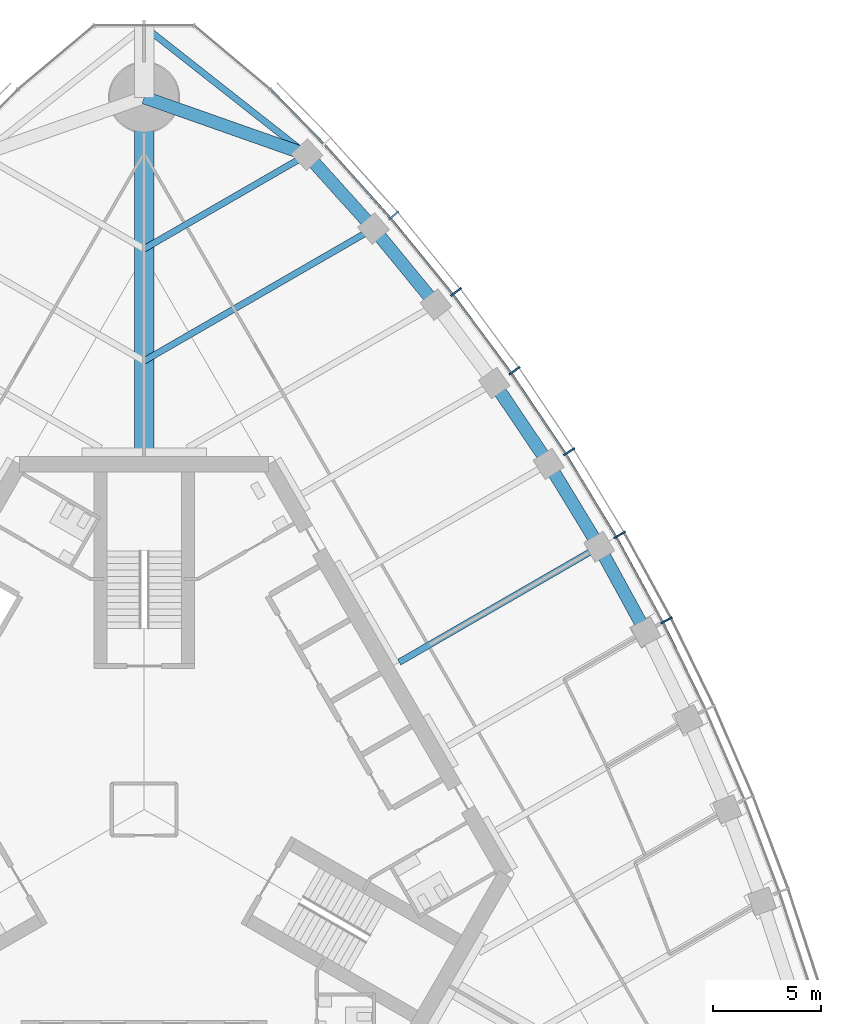
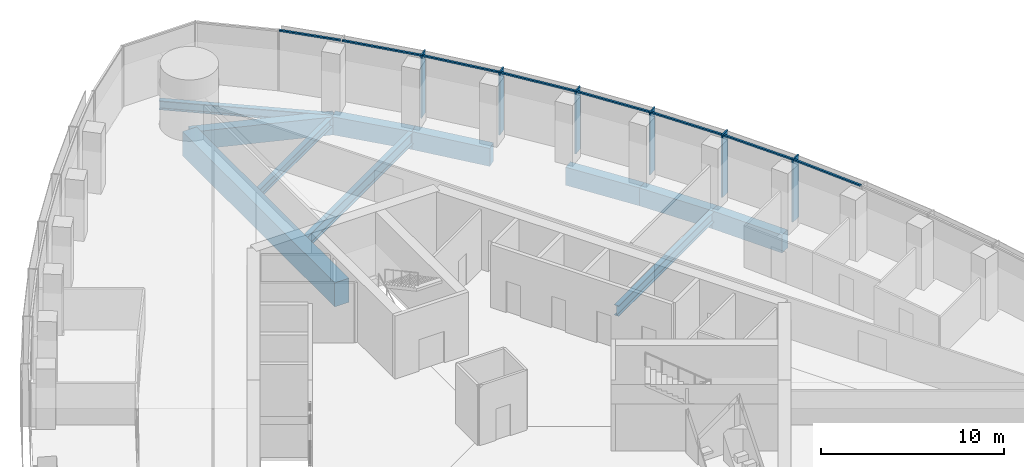
# One storey, part 7 of 19: 14 members, 11 beams, 1 element without a shape of its own.
"""IFC4 building model written with IfcOpenShell, lengths in metres."""

from ifc_helpers import new_model, si_unit, direction, frame, origin, origin_2d, place, context, subcontext, project, spatial, rectangle, i_section, extrude, material, material_profile, profile_set, type_object, element, aggregate, save


model = new_model("IFC4")

# Units and contexts
model_context = context("Model", 3, precision=1e-05, world=origin(), true_north=direction((0.0, 1.0)))
body_context = subcontext(model_context, "Body", "Model", "MODEL_VIEW")
ifc_project = project(units=[si_unit("LENGTHUNIT", "METRE"), si_unit("AREAUNIT", "SQUARE_METRE"), si_unit("VOLUMEUNIT", "CUBIC_METRE"), si_unit("PLANEANGLEUNIT", "RADIAN"), si_unit("MASSUNIT", "GRAM", prefix="KILO")], contexts=[model_context])

# Site, building, storey
site_placement = place(None, origin())
site = spatial("IfcSite", under=ifc_project, at=site_placement, CompositionType="ELEMENT")
building_placement = place(site_placement, origin())
building = spatial("IfcBuilding", under=site, at=building_placement, Name="Trefoil Bronze Tower", CompositionType="ELEMENT")
storey_placement = place(building_placement, frame((0.0, 0.0, 240.10009765625)))
storey = spatial("IfcBuildingStorey", under=building, at=storey_placement, Name="L55", CompositionType="ELEMENT", Elevation=240.10009765625)

# Curtain wall, members
ifc_material_1 = material(Name="Tinted solar-control glass", Category="glass")
curtain_wall_type = type_object("IfcCurtainWallType", Name="Bronze office curtain wall", PredefinedType="USERDEFINED", material=ifc_material_1)
curtain_wall_placement = place(storey_placement, origin())
curtain_wall = element("IfcCurtainWall", 1, at=curtain_wall_placement, inside=storey, type_object=curtain_wall_type, Name="CW-A L55 F2", ObjectType="CURTAIN WALL", PredefinedType="USERDEFINED")
ifc_material_2 = material(Name="Bronze-finish aluminium", Category="aluminium")
ifc_material_profile_1 = material_profile(ifc_material_2, rectangle(XDim=0.60009765625, YDim=0.080078125, at=origin_2d()), Name="CW-A mullion")
ifc_profile_set_1 = profile_set([ifc_material_profile_1], Name="Bronze-finish aluminium")
member_type_1 = type_object("IfcMemberType", Name="Bronze office curtain wall mullion", PredefinedType="MULLION", material=ifc_profile_set_1)
member_1_placement = place(storey_placement, frame((24.2080078125, 8.764404296875, 0.0), z_axis=(0.0, 0.0, 1.0), x_axis=(-0.888088206965, -0.459673075837, 0.0)))
member_1 = element("IfcMember", 2, at=member_1_placement, type_object=member_type_1, Name="CW-A L55 F2 mullion 6", PredefinedType="MULLION", context=body_context, shape_type="SweptSolid", body=[
    extrude(rectangle(XDim=0.60009765625, YDim=0.080078125, at=origin_2d()), origin(), (0.0, 0.0, 1.0), 4.179931640625),
])
member_2_placement = place(storey_placement, frame((22.041015625, 12.725341796875, 0.0), z_axis=(0.0, 0.0, 1.0), x_axis=(-0.866025403784, -0.5, 0.0)))
member_2 = element("IfcMember", 3, at=member_2_placement, type_object=member_type_1, Name="CW-A L55 F2 mullion 7", PredefinedType="MULLION", context=body_context, shape_type="SweptSolid", body=[
    extrude(rectangle(XDim=0.60009765625, YDim=0.080078125, at=origin_2d()), origin(), (0.0, 0.0, 1.0), 4.179931640625),
])
member_3_placement = place(storey_placement, frame((19.694091796875, 16.58251953125, 0.0), z_axis=(0.0, 0.0, 1.0), x_axis=(-0.842132664593, -0.539270410114, 0.0)))
member_3 = element("IfcMember", 4, at=member_3_placement, type_object=member_type_1, Name="CW-A L55 F2 mullion 8", PredefinedType="MULLION", context=body_context, shape_type="SweptSolid", body=[
    extrude(rectangle(XDim=0.60009765625, YDim=0.080078125, at=origin_2d()), origin(), (0.0, 0.0, 1.0), 4.179931640625),
])
member_4_placement = place(storey_placement, frame((17.167236328125, 20.335693359375, 0.0), z_axis=(0.0, 0.0, 1.0), x_axis=(-0.81640398396, -0.577481198806, 0.0)))
member_4 = element("IfcMember", 5, at=member_4_placement, type_object=member_type_1, Name="CW-A L55 F2 mullion 9", PredefinedType="MULLION", context=body_context, shape_type="SweptSolid", body=[
    extrude(rectangle(XDim=0.60009765625, YDim=0.080078125, at=origin_2d()), origin(), (0.0, 0.0, 1.0), 4.179931640625),
])
member_5_placement = place(storey_placement, frame((14.45849609375, 23.98388671875, 0.0), z_axis=(0.0, 0.0, 1.0), x_axis=(-0.788821461078, -0.614622406476, 0.0)))
member_5 = element("IfcMember", 6, at=member_5_placement, type_object=member_type_1, Name="CW-A L55 F2 mullion 10", PredefinedType="MULLION", context=body_context, shape_type="SweptSolid", body=[
    extrude(rectangle(XDim=0.60009765625, YDim=0.080078125, at=origin_2d()), origin(), (0.0, 0.0, 1.0), 4.179931640625),
])
member_6_placement = place(storey_placement, frame((11.564697265625, 27.525146484375, 0.0), z_axis=(0.0, 0.0, 1.0), x_axis=(-0.75935470958, -0.650676897576, 0.0)))
member_6 = element("IfcMember", 7, at=member_6_placement, type_object=member_type_1, Name="CW-A L55 F2 mullion 11", PredefinedType="MULLION", context=body_context, shape_type="SweptSolid", body=[
    extrude(rectangle(XDim=0.60009765625, YDim=0.080078125, at=origin_2d()), origin(), (0.0, 0.0, 1.0), 4.179931640625),
])
ifc_material_3 = material(Name="Bronze-finish aluminium", Category="aluminium")
ifc_material_profile_2 = material_profile(ifc_material_3, rectangle(XDim=0.1201171875, YDim=0.10009765625, at=origin_2d()), Name="CW-A transom")
ifc_profile_set_2 = profile_set([ifc_material_profile_2], Name="Bronze-finish aluminium")
member_type_2 = type_object("IfcMemberType", Name="Bronze office curtain wall transom", PredefinedType="USERDEFINED", material=ifc_profile_set_2)
member_7_placement = place(storey_placement, frame((25.99462890625, 4.65380859375, 4.1298828125), z_axis=(-0.439150835991, 0.898413347657, 0.0), x_axis=(-0.898413347657, -0.439150835991, 0.0)))
member_7 = element("IfcMember", 8, at=member_7_placement, type_object=member_type_2, Name="CW-A L55 F2 transom 5", ObjectType="TRANSOM", PredefinedType="USERDEFINED", context=body_context, shape_type="SweptSolid", body=[
    extrude(rectangle(XDim=0.1201171875, YDim=0.10009765625, at=origin_2d()), origin(), (0.0, 0.0, 1.0), 4.430908203125),
])
member_8_placement = place(storey_placement, frame((24.010009765625, 8.70947265625, 4.1298828125), z_axis=(-0.479973729071, 0.877282861683, 0.0), x_axis=(-0.877282861683, -0.479973729071, 0.0)))
member_8 = element("IfcMember", 9, at=member_8_placement, type_object=member_type_2, Name="CW-A L55 F2 transom 6", ObjectType="TRANSOM", PredefinedType="USERDEFINED", context=body_context, shape_type="SweptSolid", body=[
    extrude(rectangle(XDim=0.1201171875, YDim=0.10009765625, at=origin_2d()), origin(), (0.0, 0.0, 1.0), 4.421142578125),
])
member_9_placement = place(storey_placement, frame((21.845703125, 12.661376953125, 4.1298828125), z_axis=(-0.519740214649, 0.854324358354, 0.0), x_axis=(-0.854324358354, -0.519740214649, 0.0)))
member_9 = element("IfcMember", 10, at=member_9_placement, type_object=member_type_2, Name="CW-A L55 F2 transom 7", ObjectType="TRANSOM", PredefinedType="USERDEFINED", context=body_context, shape_type="SweptSolid", body=[
    extrude(rectangle(XDim=0.1201171875, YDim=0.10009765625, at=origin_2d()), origin(), (0.0, 0.0, 1.0), 4.421142578125),
])
member_10_placement = place(storey_placement, frame((19.502197265625, 16.509765625, 4.1298828125), z_axis=(-0.558509087547, 0.829498402125, 0.0), x_axis=(-0.829498402125, -0.558509087547, 0.0)))
member_10 = element("IfcMember", 11, at=member_10_placement, type_object=member_type_2, Name="CW-A L55 F2 transom 8", ObjectType="TRANSOM", PredefinedType="USERDEFINED", context=body_context, shape_type="SweptSolid", body=[
    extrude(rectangle(XDim=0.1201171875, YDim=0.10009765625, at=origin_2d()), origin(), (0.0, 0.0, 1.0), 4.4306640625),
])
member_11_placement = place(storey_placement, frame((16.978759765625, 20.254150390625, 4.1298828125), z_axis=(-0.59614822717, 0.802874393191, 0.0), x_axis=(-0.802874393191, -0.59614822717, 0.0)))
member_11 = element("IfcMember", 12, at=member_11_placement, type_object=member_type_2, Name="CW-A L55 F2 transom 9", ObjectType="TRANSOM", PredefinedType="USERDEFINED", context=body_context, shape_type="SweptSolid", body=[
    extrude(rectangle(XDim=0.1201171875, YDim=0.10009765625, at=origin_2d()), origin(), (0.0, 0.0, 1.0), 4.449951171875),
])
member_12_placement = place(storey_placement, frame((14.27392578125, 23.8935546875, 4.1298828125), z_axis=(-0.632756871921, 0.774350528531, 0.0), x_axis=(-0.774350528531, -0.632756871921, 0.0)))
member_12 = element("IfcMember", 13, at=member_12_placement, type_object=member_type_2, Name="CW-A L55 F2 transom 10", ObjectType="TRANSOM", PredefinedType="USERDEFINED", context=body_context, shape_type="SweptSolid", body=[
    extrude(rectangle(XDim=0.1201171875, YDim=0.10009765625, at=origin_2d()), origin(), (0.0, 0.0, 1.0), 4.4794921875),
])
member_13_placement = place(storey_placement, frame((11.384521484375, 27.426513671875, 4.1298828125), z_axis=(-0.66825109551, 0.743935799213, 0.0), x_axis=(-0.743935799213, -0.66825109551, 0.0)))
member_13 = element("IfcMember", 14, at=member_13_placement, type_object=member_type_2, Name="CW-A L55 F2 transom 11", ObjectType="TRANSOM", PredefinedType="USERDEFINED", context=body_context, shape_type="SweptSolid", body=[
    extrude(rectangle(XDim=0.1201171875, YDim=0.10009765625, at=origin_2d()), origin(), (0.0, 0.0, 1.0), 4.519287109375),
])
member_14_placement = place(storey_placement, frame((8.306884765625, 30.85009765625, 4.1298828125), z_axis=(-0.698646935368, 0.715466602785, 0.0), x_axis=(-0.715466602785, -0.698646935368, 0.0)))
member_14 = element("IfcMember", 15, at=member_14_placement, type_object=member_type_2, Name="CW-A L55 F2 transom 12", ObjectType="TRANSOM", PredefinedType="USERDEFINED", context=body_context, shape_type="SweptSolid", body=[
    extrude(rectangle(XDim=0.1201171875, YDim=0.10009765625, at=origin_2d()), origin(), (0.0, 0.0, 1.0), 3.483642578125),
])
aggregate(curtain_wall, [member_1, member_2, member_3, member_4, member_5, member_6, member_7, member_8, member_9, member_10, member_11, member_12, member_13, member_14])

# Beams
ifc_material_4 = material(Name="Steel C355", Category="steel")
ifc_material_profile_3 = material_profile(ifc_material_4, i_section(OverallWidth=0.300048828125, OverallDepth=0.60009765625, WebThickness=0.015380859375, FlangeThickness=0.030029296875, FilletRadius=0.027099609375, at=origin_2d()), Name="HEB 600")
ifc_profile_set_3 = profile_set([ifc_material_profile_3], Name="Steel C355")
beam_type_1 = type_object("IfcBeamType", Name="Corner edge beam HEB 600", PredefinedType="BEAM", material=ifc_profile_set_3)
beam_1_placement = place(storey_placement, frame((7.552001953125, 30.3408203125, -0.5), z_axis=(-0.785805912008, 0.618473175371, 0.0), x_axis=(-0.618473175371, -0.785805912008, 0.0)))
element("IfcBeam", 16, at=beam_1_placement, inside=storey, type_object=beam_type_1, Name="Corner edge beam F2A L55", PredefinedType="BEAM", context=body_context, shape_type="SweptSolid", body=[
    extrude(i_section(OverallWidth=0.300048828125, OverallDepth=0.60009765625, WebThickness=0.015380859375, FlangeThickness=0.030029296875, FilletRadius=0.027099609375, at=origin_2d()), origin(), (0.0, 0.0, 1.0), 9.610595703125),
])
ifc_material_5 = material(Name="Concrete B80", Category="concrete")
ifc_material_profile_4 = material_profile(ifc_material_5, rectangle(XDim=0.89990234375, YDim=1.60009765625, at=origin_2d()), Name="RC 900x1600")
ifc_profile_set_4 = profile_set([ifc_material_profile_4], Name="Concrete B80")
beam_type_2 = type_object("IfcBeamType", Name="Corner girder RC 900x1600", PredefinedType="BEAM", material=ifc_profile_set_4)
beam_2_placement = place(storey_placement, frame((0.0, 16.35009765625, -1.0), z_axis=(0.0, 1.0, 0.0), x_axis=(-1.0, 0.0, 0.0)))
element("IfcBeam", 17, at=beam_2_placement, inside=storey, type_object=beam_type_2, Name="Corner girder K2 L55", PredefinedType="BEAM", context=body_context, shape_type="SweptSolid", body=[
    extrude(rectangle(XDim=0.89990234375, YDim=1.60009765625, at=origin_2d()), origin(), (0.0, 0.0, 1.0), 16.64990234375),
])
ifc_material_6 = material(Name="Concrete B80", Category="concrete")
ifc_material_profile_5 = material_profile(ifc_material_6, rectangle(XDim=0.60009765625, YDim=1.199951171875, at=origin_2d()), Name="RC 600x1200")
ifc_profile_set_5 = profile_set([ifc_material_profile_5], Name="Concrete B80")
beam_type_3 = type_object("IfcBeamType", Name="End spandrel beam RC 600x1200", PredefinedType="SPANDREL", material=ifc_profile_set_5)
beam_3_placement = place(storey_placement, frame((7.552001953125, 30.3408203125, -0.800048828125), z_axis=(-0.943234397359, 0.332127794137, 0.0), x_axis=(-0.332127794137, -0.943234397359, 0.0)))
element("IfcBeam", 18, at=beam_3_placement, inside=storey, type_object=beam_type_3, Name="Spandrel F2.12 L55", PredefinedType="SPANDREL", context=body_context, shape_type="SweptSolid", body=[
    extrude(rectangle(XDim=0.60009765625, YDim=1.199951171875, at=origin_2d()), origin(), (0.0, 0.0, 1.0), 8.006591796875),
])
ifc_material_7 = material(Name="Steel C355", Category="steel")
ifc_material_profile_6 = material_profile(ifc_material_7, i_section(OverallWidth=0.300048828125, OverallDepth=0.590087890625, WebThickness=0.012939453125, FlangeThickness=0.02490234375, FilletRadius=0.027099609375, at=origin_2d()), Name="HEA 600")
ifc_profile_set_6 = profile_set([ifc_material_profile_6], Name="Steel C355")
beam_type_4 = type_object("IfcBeamType", Name="Floor beam HEA 600", PredefinedType="BEAM", material=ifc_profile_set_6)
beam_4_placement = place(storey_placement, frame((7.552001953125, 30.3408203125, -0.4951171875), z_axis=(-0.866027535932, -0.499996306993, 0.0), x_axis=(0.499996306993, -0.866027535932, 0.0)))
element("IfcBeam", 19, at=beam_4_placement, inside=storey, type_object=beam_type_4, Name="Floor beam F2/+5 L55", PredefinedType="BEAM", context=body_context, shape_type="SweptSolid", body=[
    extrude(i_section(OverallWidth=0.300048828125, OverallDepth=0.590087890625, WebThickness=0.012939453125, FlangeThickness=0.02490234375, FilletRadius=0.027099609375, at=origin_2d()), origin(), (0.0, 0.0, 1.0), 8.72021484375),
])
ifc_material_8 = material(Name="Steel C355", Category="steel")
ifc_material_profile_7 = material_profile(ifc_material_8, i_section(OverallWidth=0.300048828125, OverallDepth=0.699951171875, WebThickness=0.01708984375, FlangeThickness=0.031982421875, FilletRadius=0.027099609375, at=origin_2d()), Name="HEB 700")
ifc_profile_set_7 = profile_set([ifc_material_profile_7], Name="Steel C355")
beam_type_5 = type_object("IfcBeamType", Name="Floor beam HEB 700", PredefinedType="BEAM", material=ifc_profile_set_7)
beam_5_placement = place(storey_placement, frame((21.08837890625, 12.17529296875, -0.550048828125), z_axis=(-0.86602601154, -0.499998947334, 0.0), x_axis=(0.499998947334, -0.86602601154, 0.0)))
element("IfcBeam", 20, at=beam_5_placement, inside=storey, type_object=beam_type_5, Name="Floor beam F2/+0 L55", PredefinedType="BEAM", context=body_context, shape_type="SweptSolid", body=[
    extrude(i_section(OverallWidth=0.300048828125, OverallDepth=0.699951171875, WebThickness=0.01708984375, FlangeThickness=0.031982421875, FilletRadius=0.027099609375, at=origin_2d()), origin(), (0.0, 0.0, 1.0), 10.70068359375),
])
ifc_material_9 = material(Name="Steel C355", Category="steel")
ifc_material_profile_8 = material_profile(ifc_material_9, i_section(OverallWidth=0.300048828125, OverallDepth=0.800048828125, WebThickness=0.017578125, FlangeThickness=0.032958984375, FilletRadius=0.030029296875, at=origin_2d()), Name="HEB 800")
ifc_profile_set_8 = profile_set([ifc_material_profile_8], Name="Steel C355")
beam_type_6 = type_object("IfcBeamType", Name="Floor beam HEB 800", PredefinedType="BEAM", material=ifc_profile_set_8)
beam_6_placement = place(storey_placement, frame((10.632080078125, 26.923095703125, -0.60009765625), z_axis=(-0.866025635187, -0.499999599199, 0.0), x_axis=(0.499999599199, -0.866025635187, 0.0)))
element("IfcBeam", 21, at=beam_6_placement, inside=storey, type_object=beam_type_6, Name="Floor beam F2/+4 L55", PredefinedType="BEAM", context=body_context, shape_type="SweptSolid", body=[
    extrude(i_section(OverallWidth=0.300048828125, OverallDepth=0.800048828125, WebThickness=0.017578125, FlangeThickness=0.032958984375, FilletRadius=0.030029296875, at=origin_2d()), origin(), (0.0, 0.0, 1.0), 12.27685546875),
])
ifc_material_10 = material(Name="Concrete B80", Category="concrete")
ifc_material_profile_9 = material_profile(ifc_material_10, rectangle(XDim=0.60009765625, YDim=1.199951171875, at=origin_2d()), Name="RC 600x1200")
ifc_profile_set_9 = profile_set([ifc_material_profile_9], Name="Concrete B80")
beam_type_7 = type_object("IfcBeamType", Name="Spandrel beam RC 600x1200", PredefinedType="SPANDREL", material=ifc_profile_set_9)
for number, where, z_axis, x_axis, name in (
    (22, (23.248046875, 8.22607421875, -0.800048828125), (-0.479801903802, 0.87737684783, 0.0), (-0.87737684783, -0.479801903802, 0.0), "Spandrel F2.6 L55"),
    (23, (21.08837890625, 12.17529296875, -0.800048828125), (-0.519933181394, 0.854206934464, 0.0), (-0.854206934464, -0.519933181394, 0.0), "Spandrel F2.7 L55"),
):
    element("IfcBeam", number, at=place(storey_placement, frame(where, z_axis=z_axis, x_axis=x_axis)), inside=storey, type_object=beam_type_7, Name=name, PredefinedType="SPANDREL", context=body_context, shape_type="SweptSolid", body=[
        extrude(rectangle(XDim=0.60009765625, YDim=1.199951171875, at=origin_2d()), origin(), (0.0, 0.0, 1.0), 4.501220703125),
    ])
beam_7_placement = place(storey_placement, frame((18.748046875, 16.020263671875, -0.800048828125), z_axis=(-0.558964302753, 0.829191719838, 0.0), x_axis=(-0.829191719838, -0.558964302753, 0.0)))
element("IfcBeam", 24, at=beam_7_placement, inside=storey, type_object=beam_type_7, Name="Spandrel F2.8 L55", PredefinedType="SPANDREL", context=body_context, shape_type="SweptSolid", body=[
    extrude(rectangle(XDim=0.60009765625, YDim=1.199951171875, at=origin_2d()), origin(), (0.0, 0.0, 1.0), 4.510986328125),
])
beam_8_placement = place(storey_placement, frame((13.522216796875, 23.3955078125, -0.800048828125), z_axis=(-0.633753657863, 0.773534938542, 0.0), x_axis=(-0.773534938542, -0.633753657863, 0.0)))
element("IfcBeam", 25, at=beam_8_placement, inside=storey, type_object=beam_type_7, Name="Spandrel F2.10 L55", PredefinedType="SPANDREL", context=body_context, shape_type="SweptSolid", body=[
    extrude(rectangle(XDim=0.60009765625, YDim=1.199951171875, at=origin_2d()), origin(), (0.0, 0.0, 1.0), 4.560302734375),
])
beam_9_placement = place(storey_placement, frame((10.632080078125, 26.923095703125, -0.800048828125), z_axis=(-0.669460045872, 0.742848064534, 0.0), x_axis=(-0.742848064534, -0.669460045872, 0.0)))
element("IfcBeam", 26, at=beam_9_placement, inside=storey, type_object=beam_type_7, Name="Spandrel F2.11 L55", PredefinedType="SPANDREL", context=body_context, shape_type="SweptSolid", body=[
    extrude(rectangle(XDim=0.60009765625, YDim=1.199951171875, at=origin_2d()), origin(), (0.0, 0.0, 1.0), 4.600830078125),
])

save(model, "model.ifc")
